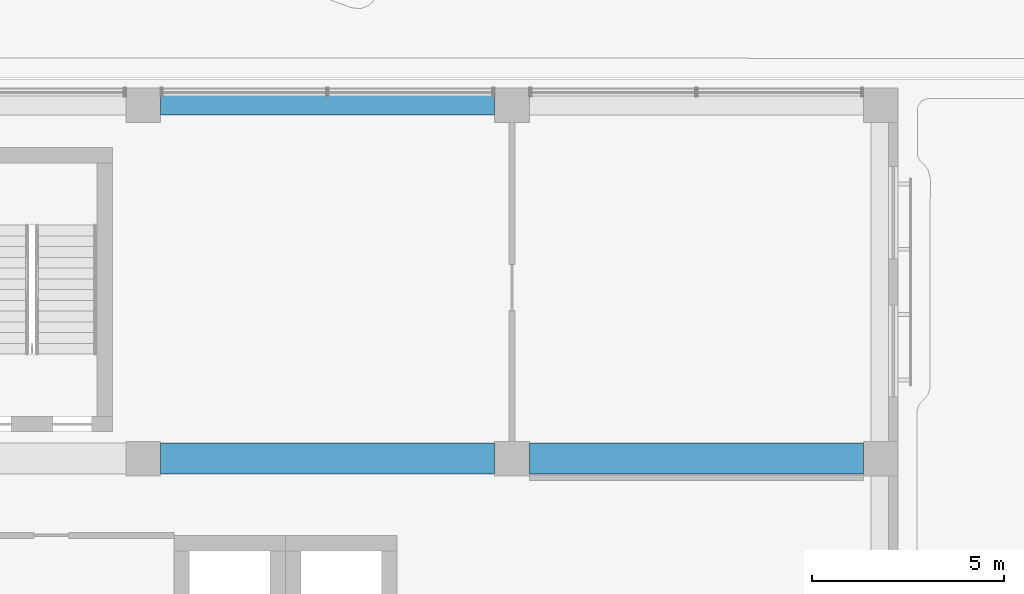
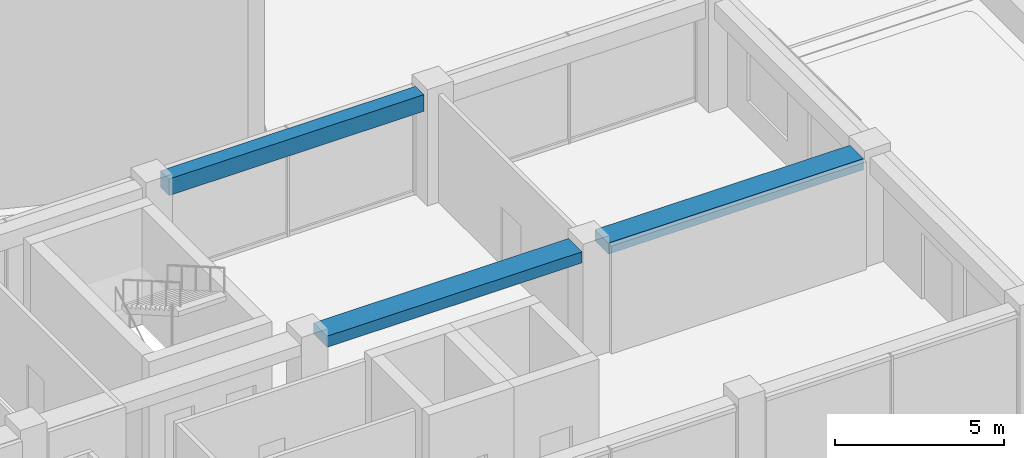
# One storey, part 29 of 72: 3 beams.
"""IFC4 building model written with IfcOpenShell, lengths in metres."""

from ifc_helpers import new_model, si_unit, direction, frame, origin, origin_2d, place, context, subcontext, project, spatial, rectangle, extrude, material, material_profile, profile_set, type_object, element, save


model = new_model("IFC4")

# Units and contexts
model_context = context("Model", 3, precision=1e-05, world=origin(), true_north=direction((0.0, 1.0)))
body_context = subcontext(model_context, "Body", "Model", "MODEL_VIEW")
ifc_project = project(units=[si_unit("LENGTHUNIT", "METRE"), si_unit("AREAUNIT", "SQUARE_METRE"), si_unit("VOLUMEUNIT", "CUBIC_METRE"), si_unit("PLANEANGLEUNIT", "RADIAN"), si_unit("MASSUNIT", "GRAM", prefix="KILO")], contexts=[model_context])

# Site, building, storey
site_placement = place(None, origin())
site = spatial("IfcSite", under=ifc_project, at=site_placement, CompositionType="ELEMENT")
building_placement = place(site_placement, origin())
building = spatial("IfcBuilding", under=site, at=building_placement, Name="Nzadi Deep Aquarium and Research Tower", CompositionType="ELEMENT")
storey_placement = place(building_placement, frame((0.0, 0.0, 31.89990234375)))
storey = spatial("IfcBuildingStorey", under=building, at=storey_placement, Name="L05", CompositionType="ELEMENT", Elevation=31.89990234375)

# Beams
ifc_material_1 = material(Name="Concrete C35/45", Category="concrete")
ifc_material_profile_1 = material_profile(ifc_material_1, rectangle(XDim=0.5, YDim=0.60009765625, at=origin_2d()))
ifc_profile_set_1 = profile_set([ifc_material_profile_1], Name="Concrete C35/45")
beam_type_1 = type_object("IfcBeamType", Name="RC 500x600", PredefinedType="BEAM", material=ifc_profile_set_1)
beam_placement = place(storey_placement, frame((29.25, 46.0, 3.60009765625), z_axis=(1.0, 0.0, 0.0), x_axis=(0.0, 1.0, 0.0)))
element("IfcBeam", 1, at=beam_placement, inside=storey, type_object=beam_type_1, Name="B-Z1-L05-L6-4", PredefinedType="BEAM", context=body_context, shape_type="SweptSolid", body=[
    extrude(rectangle(XDim=0.5, YDim=0.60009765625, at=origin_2d()), origin(), (0.0, 0.0, 1.0), 8.699951171875),
])
ifc_material_2 = material(Name="Concrete C35/45", Category="concrete")
ifc_material_profile_2 = material_profile(ifc_material_2, rectangle(XDim=0.800048828125, YDim=0.39990234375, at=origin_2d()))
ifc_profile_set_2 = profile_set([ifc_material_profile_2], Name="Concrete C35/45")
beam_type_2 = type_object("IfcBeamType", Name="RC 800x400", PredefinedType="BEAM", material=ifc_profile_set_2)
for number, where, z_axis, x_axis, name in (
    (2, (29.25, 36.800048828125, 3.7001953125), (1.0, 0.0, 0.0), (0.0, 1.0, 0.0), "B-Z1-L05-L5-4"),
    (3, (38.85009765625, 36.800048828125, 3.7001953125), (1.0, 0.0, 0.0), (0.0, 1.0, 0.0), "B-Z1-L05-L5-5"),
):
    element("IfcBeam", number, at=place(storey_placement, frame(where, z_axis=z_axis, x_axis=x_axis)), inside=storey, type_object=beam_type_2, Name=name, PredefinedType="BEAM", context=body_context, shape_type="SweptSolid", body=[
        extrude(rectangle(XDim=0.800048828125, YDim=0.39990234375, at=origin_2d()), origin(), (0.0, 0.0, 1.0), 8.699951171875),
    ])

save(model, "model.ifc")
